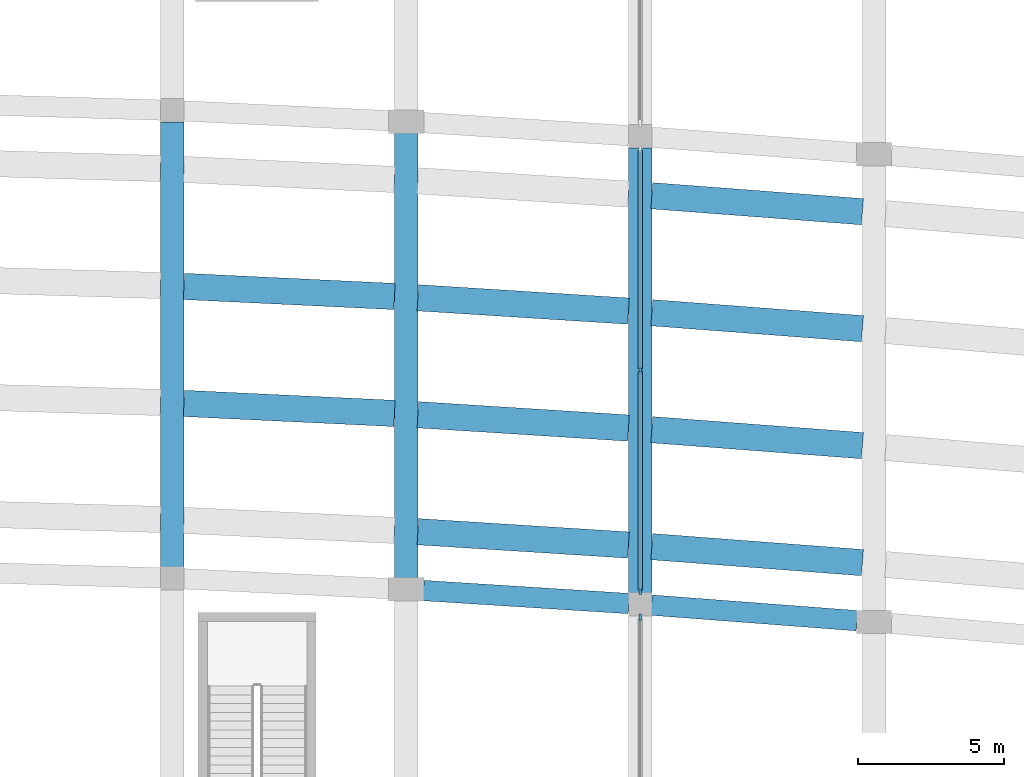
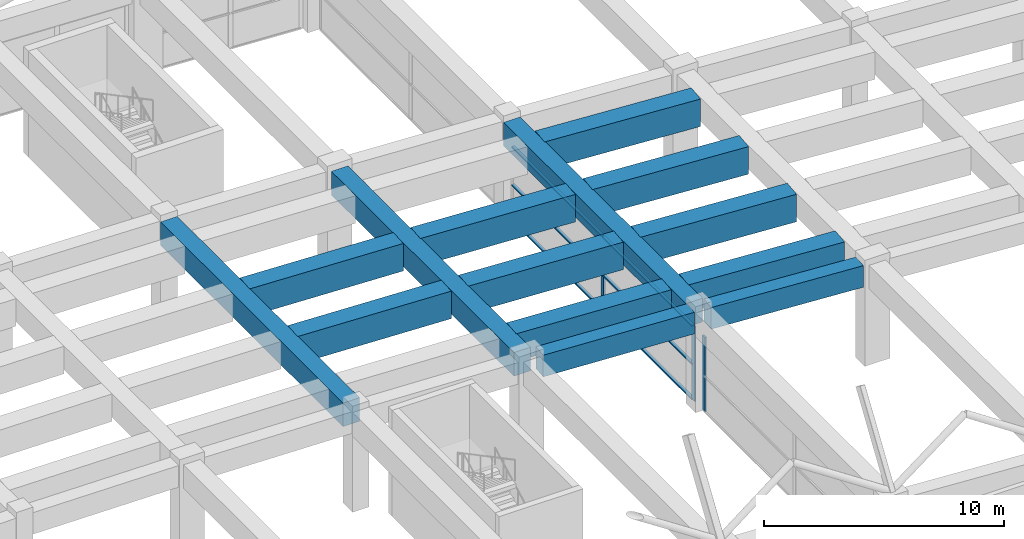
# One storey, part 28 of 69: 14 beams, 9 members, 2 elements without a shape of their own.
"""IFC4 building model written with IfcOpenShell, lengths in metres."""

import ifcopenshell
import ifcopenshell.guid

model = None  # the IFC model being written
_history = None  # IfcOwnerHistory: only IFC2X3 demands one
_inside = {}  # id of a spatial element -> (the spatial element, [elements in it])
_under = {}  # id of a project, library or spatial element -> (it, [spatial elements below it])
_declared = {}  # id of a project -> (the project, [libraries it declares])
_typed = {}  # id of a type object -> (the type object, [elements of that type])
_made_of = {}  # id of a material, layer set ... -> (it, [elements and type objects made of it])


def new_model(schema):
    """Start an empty IFC model of exactly this schema.

    Asked for "IFC4X3", IfcOpenShell would pick the latest addendum, in which some entities
    have other attributes; the version numbers below select the first issue.
    IFC2X3 requires an IfcOwnerHistory on every rooted entity: one is made here for all.
    """
    global model, _history
    if schema == "IFC4X3":
        model = ifcopenshell.file(schema_version=(4, 3, 0, 0))
    else:
        model = ifcopenshell.file(schema=schema)
    _inside.clear()
    _under.clear()
    _declared.clear()
    _typed.clear()
    _made_of.clear()
    _history = None
    if model.schema == "IFC2X3":
        org = make("IfcOrganization", Name="unknown")
        user = make(
            "IfcPersonAndOrganization",
            ThePerson=make("IfcPerson", FamilyName="unknown"),
            TheOrganization=org,
        )
        app = make(
            "IfcApplication",
            ApplicationDeveloper=org,
            Version="unknown",
            ApplicationFullName="unknown",
            ApplicationIdentifier="unknown",
        )
        _history = make(
            "IfcOwnerHistory",
            OwningUser=user,
            OwningApplication=app,
            ChangeAction="ADDED",
            CreationDate=0,
        )
    return model


def make(cls, **values):
    """One entity of the class cls with the attributes given. An attribute that is None is left unset."""
    return model.create_entity(
        cls, **{name: value for name, value in values.items() if value is not None}
    )


def rooted(cls, **values):
    """An entity with a GlobalId (a new one), such as an element, a storey or a relation."""
    return make(cls, GlobalId=ifcopenshell.guid.new(), OwnerHistory=_history, **values)


def si_unit(unit_type, name, prefix=None):
    """IfcSIUnit, for example si_unit("LENGTHUNIT", "METRE", prefix="MILLI")."""
    return make("IfcSIUnit", UnitType=unit_type, Prefix=prefix, Name=name)


def assignment(units):
    """IfcUnitAssignment: the units of a project."""
    return None if units is None else make("IfcUnitAssignment", Units=units)


def point(xyz):
    """IfcCartesianPoint."""
    return None if xyz is None else make("IfcCartesianPoint", Coordinates=xyz)


def direction(xyz):
    """IfcDirection."""
    return None if xyz is None else make("IfcDirection", DirectionRatios=xyz)


def frame(location, z_axis=None, x_axis=None):
    """IfcAxis2Placement3D, a coordinate frame: its origin and axes. An axis left out is left unset."""
    return make(
        "IfcAxis2Placement3D",
        Location=point(location),
        Axis=direction(z_axis),
        RefDirection=direction(x_axis),
    )


def frame_2d(location, x_axis=None):
    """IfcAxis2Placement2D, a coordinate frame in the plane: its origin and x axis."""
    return make(
        "IfcAxis2Placement2D", Location=point(location), RefDirection=direction(x_axis)
    )


def origin():
    """The frame at (0, 0, 0) with its axes left unset."""
    return frame((0.0, 0.0, 0.0))


def origin_2d():
    """The frame at (0, 0) in the plane with its x axis left unset."""
    return frame_2d((0.0, 0.0))


def place(relative_to, where):
    """IfcLocalPlacement: puts the frame where relative to a parent placement (None: the world)."""
    return make(
        "IfcLocalPlacement", PlacementRelTo=relative_to, RelativePlacement=where
    )


def context(
    kind, dimensions, precision=None, world=None, true_north=None, identifier=None
):
    """IfcGeometricRepresentationContext, for example the 3D "Model" context."""
    return make(
        "IfcGeometricRepresentationContext",
        ContextIdentifier=identifier,
        ContextType=kind,
        CoordinateSpaceDimension=dimensions,
        Precision=precision,
        WorldCoordinateSystem=world,
        TrueNorth=true_north,
    )


def subcontext(parent, identifier, kind, view, scale=None):
    """IfcGeometricRepresentationSubContext, for example "Body" below "Model"."""
    return make(
        "IfcGeometricRepresentationSubContext",
        ContextIdentifier=identifier,
        ContextType=kind,
        ParentContext=parent,
        TargetScale=scale,
        TargetView=view,
    )


def project(units=None, contexts=None):
    """IfcProject with its units and contexts."""
    return rooted(
        "IfcProject",
        Name="project",
        RepresentationContexts=contexts,
        UnitsInContext=assignment(units),
    )


def spatial(cls, under=None, at=None, **own):
    """A site, building, storey or space (cls), placed at a placement, below another one or the project."""
    s = rooted(cls, ObjectPlacement=at, **own)
    if under is not None:
        _under.setdefault(under.id(), (under, []))[1].append(s)
    return s


def profile(cls, at=None, kind="AREA", **sizes):
    """A parametric profile (cls). Its sizes go by their IFC names, for example OverallWidth=200.0."""
    return make(cls, ProfileType=kind, Position=at, **sizes)


def rectangle(**sizes):
    """IfcRectangleProfileDef."""
    return profile("IfcRectangleProfileDef", **sizes)


def extrude(swept, where, along, depth):
    """IfcExtrudedAreaSolid: the profile swept, set in the frame where, extruded along a direction by depth."""
    return make(
        "IfcExtrudedAreaSolid",
        SweptArea=swept,
        Position=where,
        ExtrudedDirection=direction(along),
        Depth=depth,
    )


def shape(context_of_items, identifier, shape_type, items):
    """IfcShapeRepresentation: the items that make up one representation, for example the "Body"."""
    return make(
        "IfcShapeRepresentation",
        ContextOfItems=context_of_items,
        RepresentationIdentifier=identifier,
        RepresentationType=shape_type,
        Items=items,
    )


def material(Name=None, Category=None):
    """IfcMaterial."""
    return make("IfcMaterial", Name=Name, Category=Category)


def material_profile(
    of_material, cross_section, Name=None, Category=None, Priority=None
):
    """IfcMaterialProfile: a cross section and its material."""
    return make(
        "IfcMaterialProfile",
        Name=Name,
        Material=of_material,
        Profile=cross_section,
        Priority=Priority,
        Category=Category,
    )


def profile_set(profiles, Name=None, composite=None):
    """IfcMaterialProfileSet."""
    return make(
        "IfcMaterialProfileSet",
        Name=Name,
        MaterialProfiles=profiles,
        CompositeProfile=composite,
    )


def made_of(thing, what):
    """Note that an element or type object is made of a material, layer set ...; save() writes the relation."""
    if what is not None:
        _made_of.setdefault(what.id(), (what, []))[1].append(thing)
    return thing


def type_object(cls, material=None, **own):
    """A type object (cls), such as IfcWallType, which elements share."""
    return made_of(rooted(cls, **own), material)


def element(
    cls,
    number,
    at=None,
    inside=None,
    cuts=None,
    type_object=None,
    material=None,
    context=None,
    identifier="Body",
    shape_type=None,
    held_by="IfcProductDefinitionShape",
    body=None,
    shapes=None,
    **own,
):
    """One element of the class cls, such as IfcWall. Its Tag is "e" and its number.

    at: its placement. inside: the storey or other place that contains it. cuts: it is an
    opening in that element (IfcRelVoidsElement). A single representation is given by context,
    identifier, shape_type and body (its items); several are given by shapes. held_by: the class
    of the entity that holds the representations. save() writes the other relations.
    """
    e = rooted(cls, Tag="e%d" % number, ObjectPlacement=at, **own)
    if body is not None:
        shapes = [shape(context, identifier, shape_type, body)]
    if shapes is not None:
        e.Representation = make(held_by, Representations=shapes)
    if inside is not None:
        _inside.setdefault(inside.id(), (inside, []))[1].append(e)
    if cuts is not None:
        rooted(
            "IfcRelVoidsElement", RelatingBuildingElement=cuts, RelatedOpeningElement=e
        )
    if type_object is not None:
        _typed.setdefault(type_object.id(), (type_object, []))[1].append(e)
    return made_of(e, material)


def aggregate(whole, parts):
    """IfcRelAggregates: a whole, such as a stair, and the parts it consists of."""
    return rooted("IfcRelAggregates", RelatingObject=whole, RelatedObjects=parts)


def save(model, path):
    """Write the relations noted so far, then the file.

    IfcRelAggregates (storeys below a building ...), IfcRelContainedInSpatialStructure (elements
    in a storey), IfcRelDefinesByType, IfcRelAssociatesMaterial and IfcRelDeclares: one each for
    every whole, place, type object, material and project.
    """
    for whole, parts in _under.values():
        aggregate(whole, parts)
    for where, things in _inside.values():
        rooted(
            "IfcRelContainedInSpatialStructure",
            RelatedElements=things,
            RelatingStructure=where,
        )
    for kind, things in _typed.values():
        rooted("IfcRelDefinesByType", RelatedObjects=things, RelatingType=kind)
    for what, things in _made_of.values():
        rooted("IfcRelAssociatesMaterial", RelatedObjects=things, RelatingMaterial=what)
    for by, libraries in _declared.values():
        rooted("IfcRelDeclares", RelatingContext=by, RelatedDefinitions=libraries)
    model.write(path)


model = new_model("IFC4")

# Units and contexts
model_context = context("Model", 3, precision=1e-05, world=origin(), true_north=direction((0.0, 1.0)))
body_context = subcontext(model_context, "Body", "Model", "MODEL_VIEW")
ifc_project = project(units=[si_unit("LENGTHUNIT", "METRE"), si_unit("AREAUNIT", "SQUARE_METRE"), si_unit("VOLUMEUNIT", "CUBIC_METRE"), si_unit("PLANEANGLEUNIT", "RADIAN"), si_unit("MASSUNIT", "GRAM", prefix="KILO")], contexts=[model_context])

# Site, building, storey
site_placement = place(None, origin())
site = spatial("IfcSite", under=ifc_project, at=site_placement, CompositionType="ELEMENT")
building_placement = place(site_placement, origin())
building = spatial("IfcBuilding", under=site, at=building_placement, Name="Kenh Van Central Station", CompositionType="ELEMENT")
storey_placement = place(building_placement, frame((0.0, 0.0, 5.39990234375)))
storey = spatial("IfcBuildingStorey", under=building, at=storey_placement, Name="L01", CompositionType="ELEMENT", Elevation=5.39990234375)

# Beams
ifc_material_1 = material(Name="Concrete C40/50", Category="concrete")
ifc_material_profile_1 = material_profile(ifc_material_1, rectangle(XDim=0.699951171875, YDim=1.10009765625, at=origin_2d()), Name="RC 700x1100")
ifc_profile_set_1 = profile_set([ifc_material_profile_1], Name="Concrete C40/50")
beam_type_1 = type_object("IfcBeamType", Name="BM-RC-700x1100", PredefinedType="BEAM", material=ifc_profile_set_1)
beam_1_placement = place(storey_placement, frame((112.5888671875, 82.464599609375, 4.530029296875), z_axis=(0.997999567519, -0.063220750018, 0.0), x_axis=(0.063220750018, 0.997999567519, 0.0)))
element("IfcBeam", 1, at=beam_1_placement, inside=storey, type_object=beam_type_1, Name="L01 viaduct girder 1404", PredefinedType="BEAM", context=body_context, shape_type="SweptSolid", body=[
    extrude(rectangle(XDim=0.699951171875, YDim=1.10009765625, at=origin_2d()), origin(), (0.0, 0.0, 1.0), 7.0361328125),
])
beam_2_placement = place(storey_placement, frame((120.388916015625, 81.9658203125, 4.530029296875), z_axis=(0.997135285012, -0.075638769056, 0.0), x_axis=(0.075638769056, 0.997135285012, 0.0)))
element("IfcBeam", 2, at=beam_2_placement, inside=storey, type_object=beam_type_1, Name="L01 viaduct girder 1405", PredefinedType="BEAM", context=body_context, shape_type="SweptSolid", body=[
    extrude(rectangle(XDim=0.699951171875, YDim=1.10009765625, at=origin_2d()), origin(), (0.0, 0.0, 1.0), 7.04296875),
])
ifc_material_profile_2 = material_profile(ifc_material_1, rectangle(XDim=0.800048828125, YDim=1.199951171875, at=origin_2d()), Name="RC 800x1200")
ifc_profile_set_2 = profile_set([ifc_material_profile_2], Name="Concrete C40/50")
beam_type_2 = type_object("IfcBeamType", Name="BM-TRK-800x1200", PredefinedType="BEAM", material=ifc_profile_set_2)
for number, where, z_axis, x_axis, name in (
    (3, (104.0, 83.273193359375, 4.47998046875), (0.0, 1.0, 0.0), (-1.0, 0.0, 0.0), "L01 viaduct cross-girder 1458"),
    (4, (112.0, 82.891845703125, 4.47998046875), (0.0, 1.0, 0.0), (-1.0, 0.0, 0.0), "L01 viaduct cross-girder 1461"),
    (5, (120.0, 82.38525390625, 4.47998046875), (0.0, 1.0, 0.0), (-1.0, 0.0, 0.0), "L01 viaduct cross-girder 1464"),
):
    element("IfcBeam", number, at=place(storey_placement, frame(where, z_axis=z_axis, x_axis=x_axis)), inside=storey, type_object=beam_type_2, Name=name, PredefinedType="BEAM", context=body_context, shape_type="SweptSolid", body=[
        extrude(rectangle(XDim=0.800048828125, YDim=1.199951171875, at=origin_2d()), origin(), (0.0, 0.0, 1.0), 15.219970703125),
    ])
ifc_material_profile_3 = material_profile(ifc_material_1, rectangle(XDim=0.89990234375, YDim=1.39990234375, at=origin_2d()), Name="RC 900x1400")
ifc_profile_set_3 = profile_set([ifc_material_profile_3], Name="Concrete C40/50")
beam_type_3 = type_object("IfcBeamType", Name="BM-TRK-900x1400", PredefinedType="BEAM", material=ifc_profile_set_3)
beam_3_placement = place(storey_placement, frame((112.399169921875, 84.4765625, 4.380126953125), z_axis=(0.998000898768, -0.06319973147, 0.0), x_axis=(0.06319973147, 0.998000898768, 0.0)))
element("IfcBeam", 6, at=beam_3_placement, inside=storey, type_object=beam_type_3, Name="Track 1 trough girder 1485", PredefinedType="BEAM", context=body_context, shape_type="SweptSolid", body=[
    extrude(rectangle(XDim=0.89990234375, YDim=1.39990234375, at=origin_2d()), origin(), (0.0, 0.0, 1.0), 7.216064453125),
])
beam_4_placement = place(storey_placement, frame((120.39892578125, 83.96484375, 4.380126953125), z_axis=(0.997137207457, -0.07561342146, 0.0), x_axis=(0.07561342146, 0.997137207457, 0.0)))
element("IfcBeam", 7, at=beam_4_placement, inside=storey, type_object=beam_type_3, Name="Track 1 trough girder 1486", PredefinedType="BEAM", context=body_context, shape_type="SweptSolid", body=[
    extrude(rectangle(XDim=0.89990234375, YDim=1.39990234375, at=origin_2d()), origin(), (0.0, 0.0, 1.0), 7.222900390625),
])
beam_5_placement = place(storey_placement, frame((104.399658203125, 88.864013671875, 4.380126953125), z_axis=(0.998867294729, -0.047582849023, 0.0), x_axis=(0.047582849023, 0.998867294729, 0.0)))
element("IfcBeam", 8, at=beam_5_placement, inside=storey, type_object=beam_type_3, Name="Track 2 trough girder 1498", PredefinedType="BEAM", context=body_context, shape_type="SweptSolid", body=[
    extrude(rectangle(XDim=0.89990234375, YDim=1.39990234375, at=origin_2d()), origin(), (0.0, 0.0, 1.0), 7.208740234375),
])
beam_6_placement = place(storey_placement, frame((112.399169921875, 88.4765625, 4.380126953125), z_axis=(0.998000898768, -0.06319973147, 0.0), x_axis=(0.06319973147, 0.998000898768, 0.0)))
element("IfcBeam", 9, at=beam_6_placement, inside=storey, type_object=beam_type_3, Name="Track 2 trough girder 1499", PredefinedType="BEAM", context=body_context, shape_type="SweptSolid", body=[
    extrude(rectangle(XDim=0.89990234375, YDim=1.39990234375, at=origin_2d()), origin(), (0.0, 0.0, 1.0), 7.216064453125),
])
beam_7_placement = place(storey_placement, frame((120.39892578125, 87.96484375, 4.380126953125), z_axis=(0.997137207457, -0.07561342146, 0.0), x_axis=(0.07561342146, 0.997137207457, 0.0)))
element("IfcBeam", 10, at=beam_7_placement, inside=storey, type_object=beam_type_3, Name="Track 2 trough girder 1500", PredefinedType="BEAM", context=body_context, shape_type="SweptSolid", body=[
    extrude(rectangle(XDim=0.89990234375, YDim=1.39990234375, at=origin_2d()), origin(), (0.0, 0.0, 1.0), 7.222900390625),
])
beam_8_placement = place(storey_placement, frame((104.399658203125, 92.864013671875, 4.380126953125), z_axis=(0.998867294729, -0.047582849023, 0.0), x_axis=(0.047582849023, 0.998867294729, 0.0)))
element("IfcBeam", 11, at=beam_8_placement, inside=storey, type_object=beam_type_3, Name="Track 3 trough girder 1512", PredefinedType="BEAM", context=body_context, shape_type="SweptSolid", body=[
    extrude(rectangle(XDim=0.89990234375, YDim=1.39990234375, at=origin_2d()), origin(), (0.0, 0.0, 1.0), 7.208740234375),
])
beam_9_placement = place(storey_placement, frame((112.399169921875, 92.4765625, 4.380126953125), z_axis=(0.998000898768, -0.06319973147, 0.0), x_axis=(0.06319973147, 0.998000898768, 0.0)))
element("IfcBeam", 12, at=beam_9_placement, inside=storey, type_object=beam_type_3, Name="Track 3 trough girder 1513", PredefinedType="BEAM", context=body_context, shape_type="SweptSolid", body=[
    extrude(rectangle(XDim=0.89990234375, YDim=1.39990234375, at=origin_2d()), origin(), (0.0, 0.0, 1.0), 7.216064453125),
])
for number, where, z_axis, x_axis, name in (
    (13, (120.39892578125, 91.96484375, 4.380126953125), (0.997137207457, -0.07561342146, 0.0), (0.07561342146, 0.997137207457, 0.0), "Track 3 trough girder 1514"),
    (14, (120.39892578125, 95.96484375, 4.380126953125), (0.997137207457, -0.07561342146, 0.0), (0.07561342146, 0.997137207457, 0.0), "Track 4 trough girder 1528"),
):
    element("IfcBeam", number, at=place(storey_placement, frame(where, z_axis=z_axis, x_axis=x_axis)), inside=storey, type_object=beam_type_3, Name=name, PredefinedType="BEAM", context=body_context, shape_type="SweptSolid", body=[
        extrude(rectangle(XDim=0.89990234375, YDim=1.39990234375, at=origin_2d()), origin(), (0.0, 0.0, 1.0), 7.222900390625),
    ])

# Curtain wall, member
ifc_material_2 = material(Name="Champagne anodised aluminium", Category="aluminium")
curtain_wall_type = type_object("IfcCurtainWallType", Name="CW-HALL-B", PredefinedType="NOTDEFINED", material=ifc_material_2)
curtain_wall_1_placement = place(storey_placement, origin())
curtain_wall_1 = element("IfcCurtainWall", 15, at=curtain_wall_1_placement, inside=storey, type_object=curtain_wall_type, Name="L01 curtain wall 100", PredefinedType="NOTDEFINED")
ifc_material_profile_4 = material_profile(ifc_material_2, rectangle(XDim=0.08203125, YDim=0.22509765625, at=origin_2d()), Name="AL 82x225")
ifc_profile_set_4 = profile_set([ifc_material_profile_4], Name="Champagne anodised aluminium")
member_type_1 = type_object("IfcMemberType", Name="CWM-70x180", PredefinedType="MULLION", material=ifc_profile_set_4)
member_1_placement = place(storey_placement, frame((120.0, 81.55419921875, 0.0), z_axis=(0.0, 0.0, 1.0), x_axis=(-1.0, 0.0, 0.0)))
member_1 = element("IfcMember", 16, at=member_1_placement, type_object=member_type_1, Name="CW-02 mullion 3", PredefinedType="MULLION", context=body_context, shape_type="SweptSolid", body=[
    extrude(rectangle(XDim=0.08203125, YDim=0.22509765625, at=origin_2d()), origin(), (0.0, 0.0, 1.0), 3.800048828125),
])
aggregate(curtain_wall_1, [member_1])

# Curtain wall, members
curtain_wall_2_placement = place(storey_placement, origin())
curtain_wall_2 = element("IfcCurtainWall", 17, at=curtain_wall_2_placement, inside=storey, type_object=curtain_wall_type, Name="L01 curtain wall 101", PredefinedType="NOTDEFINED")
member_2_placement = place(storey_placement, frame((120.0, 82.436279296875, 0.0), z_axis=(0.0, 0.0, 1.0), x_axis=(-1.0, 0.0, 0.0)))
member_2 = element("IfcMember", 18, at=member_2_placement, type_object=member_type_1, Name="CW-02 mullion 1", PredefinedType="MULLION", context=body_context, shape_type="SweptSolid", body=[
    extrude(rectangle(XDim=0.08203125, YDim=0.22509765625, at=origin_2d()), origin(), (0.0, 0.0, 1.0), 3.800048828125),
])
member_3_placement = place(storey_placement, frame((120.0, 89.9951171875, 0.0), z_axis=(0.0, 0.0, 1.0), x_axis=(-1.0, 0.0, 0.0)))
member_3 = element("IfcMember", 19, at=member_3_placement, type_object=member_type_1, Name="CW-02 mullion 2", PredefinedType="MULLION", context=body_context, shape_type="SweptSolid", body=[
    extrude(rectangle(XDim=0.08203125, YDim=0.22509765625, at=origin_2d()), origin(), (0.0, 0.0, 1.0), 3.800048828125),
])
ifc_material_profile_5 = material_profile(ifc_material_2, rectangle(XDim=0.14990234375, YDim=0.070068359375, at=origin_2d()), Name="AL 150x70")
ifc_profile_set_5 = profile_set([ifc_material_profile_5], Name="Champagne anodised aluminium")
member_type_2 = type_object("IfcMemberType", Name="CWT-150x70", PredefinedType="USERDEFINED", material=ifc_profile_set_5)
member_4_placement = place(storey_placement, frame((120.0, 82.477294921875, 0.03515625), z_axis=(0.0, 1.0, 0.0), x_axis=(-1.0, 0.0, 0.0)))
member_4 = element("IfcMember", 20, at=member_4_placement, type_object=member_type_2, Name="CW-02 transom 1.1", ObjectType="TRANSOM", PredefinedType="USERDEFINED", context=body_context, shape_type="SweptSolid", body=[
    extrude(rectangle(XDim=0.14990234375, YDim=0.070068359375, at=origin_2d()), origin(), (0.0, 0.0, 1.0), 7.476806640625),
])
member_5_placement = place(storey_placement, frame((120.0, 82.477294921875, 1.82421875), z_axis=(0.0, 1.0, 0.0), x_axis=(-1.0, 0.0, 0.0)))
member_5 = element("IfcMember", 21, at=member_5_placement, type_object=member_type_2, Name="CW-02 transom 1.2", ObjectType="TRANSOM", PredefinedType="USERDEFINED", context=body_context, shape_type="SweptSolid", body=[
    extrude(rectangle(XDim=0.14990234375, YDim=0.070068359375, at=origin_2d()), origin(), (0.0, 0.0, 1.0), 7.476806640625),
])
member_6_placement = place(storey_placement, frame((120.0, 82.477294921875, 3.76513671875), z_axis=(0.0, 1.0, 0.0), x_axis=(-1.0, 0.0, 0.0)))
member_6 = element("IfcMember", 22, at=member_6_placement, type_object=member_type_2, Name="CW-02 transom 1.3", ObjectType="TRANSOM", PredefinedType="USERDEFINED", context=body_context, shape_type="SweptSolid", body=[
    extrude(rectangle(XDim=0.14990234375, YDim=0.070068359375, at=origin_2d()), origin(), (0.0, 0.0, 1.0), 7.476806640625),
])
member_7_placement = place(storey_placement, frame((120.0, 90.0361328125, 0.03515625), z_axis=(0.0, 1.0, 0.0), x_axis=(-1.0, 0.0, 0.0)))
member_7 = element("IfcMember", 23, at=member_7_placement, type_object=member_type_2, Name="CW-02 transom 2.1", ObjectType="TRANSOM", PredefinedType="USERDEFINED", context=body_context, shape_type="SweptSolid", body=[
    extrude(rectangle(XDim=0.14990234375, YDim=0.070068359375, at=origin_2d()), origin(), (0.0, 0.0, 1.0), 7.47705078125),
])
member_8_placement = place(storey_placement, frame((120.0, 90.0361328125, 1.82421875), z_axis=(0.0, 1.0, 0.0), x_axis=(-1.0, 0.0, 0.0)))
member_8 = element("IfcMember", 24, at=member_8_placement, type_object=member_type_2, Name="CW-02 transom 2.2", ObjectType="TRANSOM", PredefinedType="USERDEFINED", context=body_context, shape_type="SweptSolid", body=[
    extrude(rectangle(XDim=0.14990234375, YDim=0.070068359375, at=origin_2d()), origin(), (0.0, 0.0, 1.0), 7.47705078125),
])
member_9_placement = place(storey_placement, frame((120.0, 90.0361328125, 3.76513671875), z_axis=(0.0, 1.0, 0.0), x_axis=(-1.0, 0.0, 0.0)))
member_9 = element("IfcMember", 25, at=member_9_placement, type_object=member_type_2, Name="CW-02 transom 2.3", ObjectType="TRANSOM", PredefinedType="USERDEFINED", context=body_context, shape_type="SweptSolid", body=[
    extrude(rectangle(XDim=0.14990234375, YDim=0.070068359375, at=origin_2d()), origin(), (0.0, 0.0, 1.0), 7.47705078125),
])
aggregate(curtain_wall_2, [member_2, member_3, member_4, member_5, member_6, member_7, member_8, member_9])

save(model, "model.ifc")
